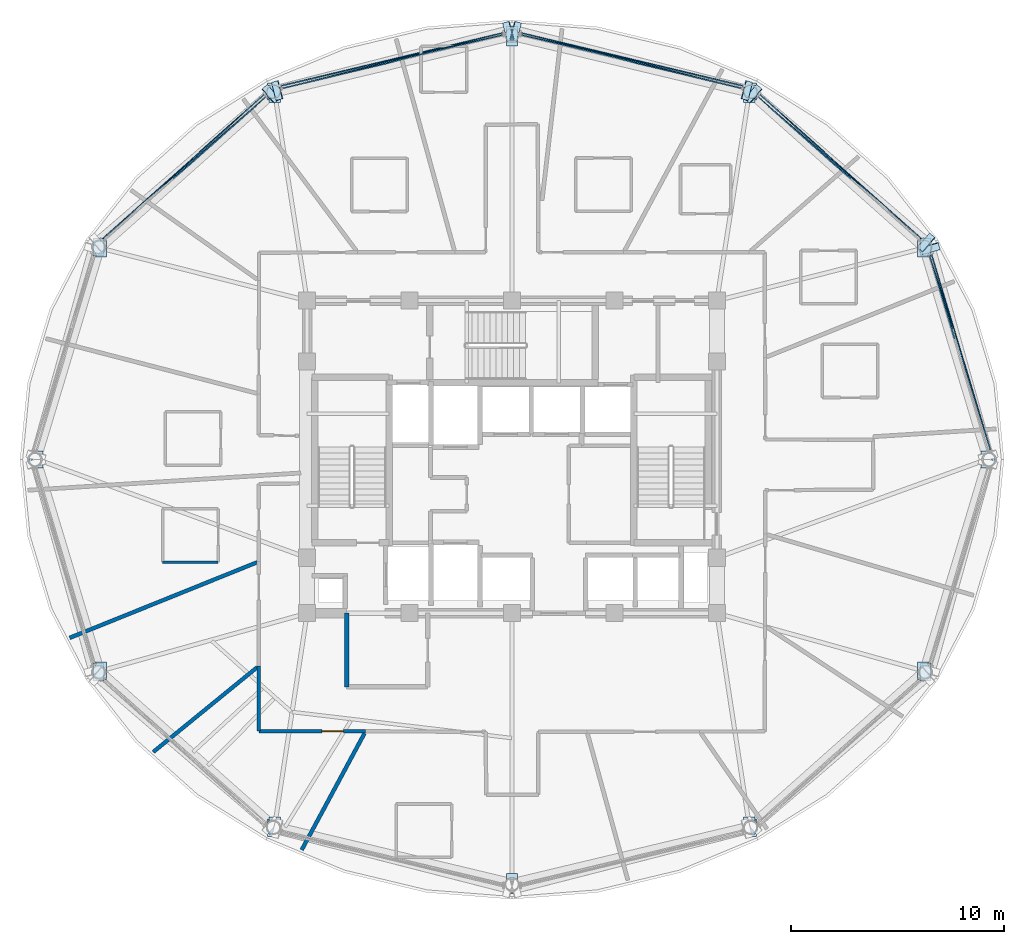
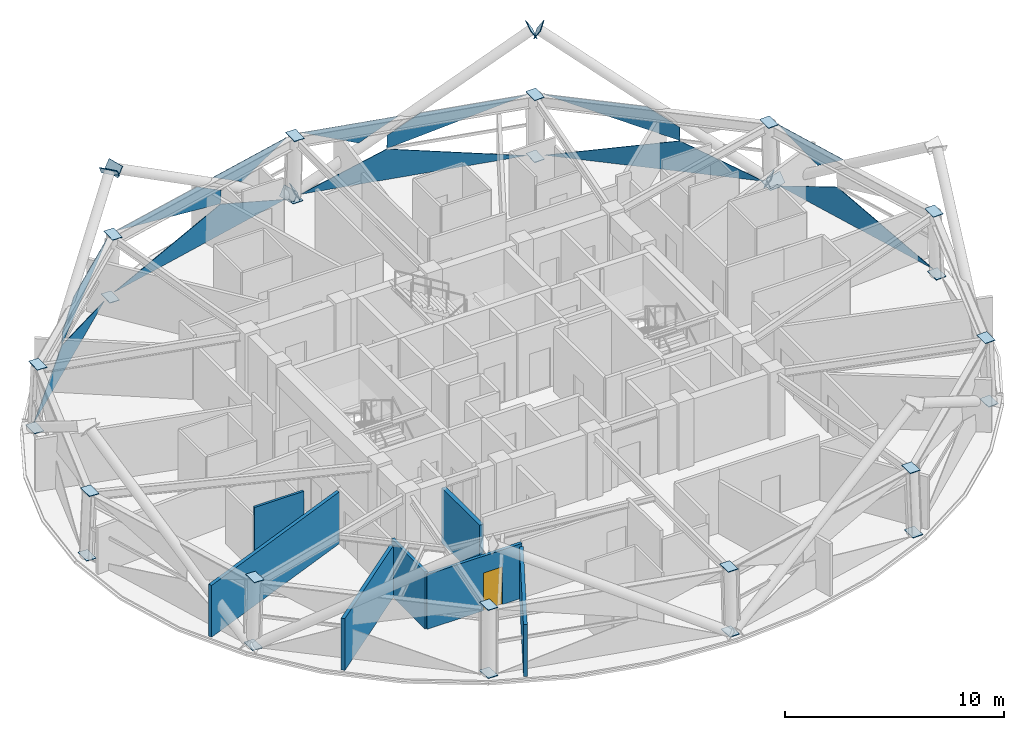
# One storey, part 6 of 14: 44 plates, 7 walls, 1 door, 1 opening, 5 elements without a shape of their own.
"""IFC4 building model written with IfcOpenShell, lengths in metres."""

import ifcopenshell
import ifcopenshell.guid

model = None  # the IFC model being written
_history = None  # IfcOwnerHistory: only IFC2X3 demands one
_inside = {}  # id of a spatial element -> (the spatial element, [elements in it])
_under = {}  # id of a project, library or spatial element -> (it, [spatial elements below it])
_declared = {}  # id of a project -> (the project, [libraries it declares])
_typed = {}  # id of a type object -> (the type object, [elements of that type])
_made_of = {}  # id of a material, layer set ... -> (it, [elements and type objects made of it])


def new_model(schema):
    """Start an empty IFC model of exactly this schema.

    Asked for "IFC4X3", IfcOpenShell would pick the latest addendum, in which some entities
    have other attributes; the version numbers below select the first issue.
    IFC2X3 requires an IfcOwnerHistory on every rooted entity: one is made here for all.
    """
    global model, _history
    if schema == "IFC4X3":
        model = ifcopenshell.file(schema_version=(4, 3, 0, 0))
    else:
        model = ifcopenshell.file(schema=schema)
    _inside.clear()
    _under.clear()
    _declared.clear()
    _typed.clear()
    _made_of.clear()
    _history = None
    if model.schema == "IFC2X3":
        org = make("IfcOrganization", Name="unknown")
        user = make(
            "IfcPersonAndOrganization",
            ThePerson=make("IfcPerson", FamilyName="unknown"),
            TheOrganization=org,
        )
        app = make(
            "IfcApplication",
            ApplicationDeveloper=org,
            Version="unknown",
            ApplicationFullName="unknown",
            ApplicationIdentifier="unknown",
        )
        _history = make(
            "IfcOwnerHistory",
            OwningUser=user,
            OwningApplication=app,
            ChangeAction="ADDED",
            CreationDate=0,
        )
    return model


def make(cls, **values):
    """One entity of the class cls with the attributes given. An attribute that is None is left unset."""
    return model.create_entity(
        cls, **{name: value for name, value in values.items() if value is not None}
    )


def rooted(cls, **values):
    """An entity with a GlobalId (a new one), such as an element, a storey or a relation."""
    return make(cls, GlobalId=ifcopenshell.guid.new(), OwnerHistory=_history, **values)


def si_unit(unit_type, name, prefix=None):
    """IfcSIUnit, for example si_unit("LENGTHUNIT", "METRE", prefix="MILLI")."""
    return make("IfcSIUnit", UnitType=unit_type, Prefix=prefix, Name=name)


def assignment(units):
    """IfcUnitAssignment: the units of a project."""
    return None if units is None else make("IfcUnitAssignment", Units=units)


def point(xyz):
    """IfcCartesianPoint."""
    return None if xyz is None else make("IfcCartesianPoint", Coordinates=xyz)


def direction(xyz):
    """IfcDirection."""
    return None if xyz is None else make("IfcDirection", DirectionRatios=xyz)


def frame(location, z_axis=None, x_axis=None):
    """IfcAxis2Placement3D, a coordinate frame: its origin and axes. An axis left out is left unset."""
    return make(
        "IfcAxis2Placement3D",
        Location=point(location),
        Axis=direction(z_axis),
        RefDirection=direction(x_axis),
    )


def frame_2d(location, x_axis=None):
    """IfcAxis2Placement2D, a coordinate frame in the plane: its origin and x axis."""
    return make(
        "IfcAxis2Placement2D", Location=point(location), RefDirection=direction(x_axis)
    )


def origin():
    """The frame at (0, 0, 0) with its axes left unset."""
    return frame((0.0, 0.0, 0.0))


def place(relative_to, where):
    """IfcLocalPlacement: puts the frame where relative to a parent placement (None: the world)."""
    return make(
        "IfcLocalPlacement", PlacementRelTo=relative_to, RelativePlacement=where
    )


def context(
    kind, dimensions, precision=None, world=None, true_north=None, identifier=None
):
    """IfcGeometricRepresentationContext, for example the 3D "Model" context."""
    return make(
        "IfcGeometricRepresentationContext",
        ContextIdentifier=identifier,
        ContextType=kind,
        CoordinateSpaceDimension=dimensions,
        Precision=precision,
        WorldCoordinateSystem=world,
        TrueNorth=true_north,
    )


def subcontext(parent, identifier, kind, view, scale=None):
    """IfcGeometricRepresentationSubContext, for example "Body" below "Model"."""
    return make(
        "IfcGeometricRepresentationSubContext",
        ContextIdentifier=identifier,
        ContextType=kind,
        ParentContext=parent,
        TargetScale=scale,
        TargetView=view,
    )


def project(units=None, contexts=None):
    """IfcProject with its units and contexts."""
    return rooted(
        "IfcProject",
        Name="project",
        RepresentationContexts=contexts,
        UnitsInContext=assignment(units),
    )


def spatial(cls, under=None, at=None, **own):
    """A site, building, storey or space (cls), placed at a placement, below another one or the project."""
    s = rooted(cls, ObjectPlacement=at, **own)
    if under is not None:
        _under.setdefault(under.id(), (under, []))[1].append(s)
    return s


def polyline(points):
    """IfcPolyline through the points."""
    return make("IfcPolyline", Points=[point(p) for p in points])


def profile(cls, at=None, kind="AREA", **sizes):
    """A parametric profile (cls). Its sizes go by their IFC names, for example OverallWidth=200.0."""
    return make(cls, ProfileType=kind, Position=at, **sizes)


def rectangle(**sizes):
    """IfcRectangleProfileDef."""
    return profile("IfcRectangleProfileDef", **sizes)


def outline(outer, holes=None, kind="AREA"):
    """IfcArbitraryClosedProfileDef: a profile drawn as a closed curve; with holes, ...WithVoids."""
    if holes is None:
        return make("IfcArbitraryClosedProfileDef", ProfileType=kind, OuterCurve=outer)
    return make(
        "IfcArbitraryProfileDefWithVoids",
        ProfileType=kind,
        OuterCurve=outer,
        InnerCurves=holes,
    )


def extrude(swept, where, along, depth):
    """IfcExtrudedAreaSolid: the profile swept, set in the frame where, extruded along a direction by depth."""
    return make(
        "IfcExtrudedAreaSolid",
        SweptArea=swept,
        Position=where,
        ExtrudedDirection=direction(along),
        Depth=depth,
    )


def shape(context_of_items, identifier, shape_type, items):
    """IfcShapeRepresentation: the items that make up one representation, for example the "Body"."""
    return make(
        "IfcShapeRepresentation",
        ContextOfItems=context_of_items,
        RepresentationIdentifier=identifier,
        RepresentationType=shape_type,
        Items=items,
    )


def material(Name=None, Category=None):
    """IfcMaterial."""
    return make("IfcMaterial", Name=Name, Category=Category)


def layer(
    of_material, thickness, ventilated=None, Name=None, Category=None, Priority=None
):
    """IfcMaterialLayer: one layer of a wall or slab, of a material (None: an air gap)."""
    return make(
        "IfcMaterialLayer",
        Material=of_material,
        LayerThickness=thickness,
        IsVentilated=ventilated,
        Name=Name,
        Category=Category,
        Priority=Priority,
    )


def layer_set(layers, Name=None):
    """IfcMaterialLayerSet."""
    return make("IfcMaterialLayerSet", MaterialLayers=layers, LayerSetName=Name)


def made_of(thing, what):
    """Note that an element or type object is made of a material, layer set ...; save() writes the relation."""
    if what is not None:
        _made_of.setdefault(what.id(), (what, []))[1].append(thing)
    return thing


def type_object(cls, material=None, **own):
    """A type object (cls), such as IfcWallType, which elements share."""
    return made_of(rooted(cls, **own), material)


def element(
    cls,
    number,
    at=None,
    inside=None,
    cuts=None,
    type_object=None,
    material=None,
    context=None,
    identifier="Body",
    shape_type=None,
    held_by="IfcProductDefinitionShape",
    body=None,
    shapes=None,
    **own,
):
    """One element of the class cls, such as IfcWall. Its Tag is "e" and its number.

    at: its placement. inside: the storey or other place that contains it. cuts: it is an
    opening in that element (IfcRelVoidsElement). A single representation is given by context,
    identifier, shape_type and body (its items); several are given by shapes. held_by: the class
    of the entity that holds the representations. save() writes the other relations.
    """
    e = rooted(cls, Tag="e%d" % number, ObjectPlacement=at, **own)
    if body is not None:
        shapes = [shape(context, identifier, shape_type, body)]
    if shapes is not None:
        e.Representation = make(held_by, Representations=shapes)
    if inside is not None:
        _inside.setdefault(inside.id(), (inside, []))[1].append(e)
    if cuts is not None:
        rooted(
            "IfcRelVoidsElement", RelatingBuildingElement=cuts, RelatedOpeningElement=e
        )
    if type_object is not None:
        _typed.setdefault(type_object.id(), (type_object, []))[1].append(e)
    return made_of(e, material)


def fill(opening, filler):
    """IfcRelFillsElement: the door or window that sits in an opening."""
    return rooted(
        "IfcRelFillsElement",
        RelatingOpeningElement=opening,
        RelatedBuildingElement=filler,
    )


def aggregate(whole, parts):
    """IfcRelAggregates: a whole, such as a stair, and the parts it consists of."""
    return rooted("IfcRelAggregates", RelatingObject=whole, RelatedObjects=parts)


def save(model, path):
    """Write the relations noted so far, then the file.

    IfcRelAggregates (storeys below a building ...), IfcRelContainedInSpatialStructure (elements
    in a storey), IfcRelDefinesByType, IfcRelAssociatesMaterial and IfcRelDeclares: one each for
    every whole, place, type object, material and project.
    """
    for whole, parts in _under.values():
        aggregate(whole, parts)
    for where, things in _inside.values():
        rooted(
            "IfcRelContainedInSpatialStructure",
            RelatedElements=things,
            RelatingStructure=where,
        )
    for kind, things in _typed.values():
        rooted("IfcRelDefinesByType", RelatedObjects=things, RelatingType=kind)
    for what, things in _made_of.values():
        rooted("IfcRelAssociatesMaterial", RelatedObjects=things, RelatingMaterial=what)
    for by, libraries in _declared.values():
        rooted("IfcRelDeclares", RelatingContext=by, RelatedDefinitions=libraries)
    model.write(path)


model = new_model("IFC4")

# Units and contexts
model_context = context("Model", 3, precision=1e-05, world=origin(), true_north=direction((0.0, 1.0)))
body_context = subcontext(model_context, "Body", "Model", "MODEL_VIEW")
ifc_project = project(units=[si_unit("LENGTHUNIT", "METRE"), si_unit("AREAUNIT", "SQUARE_METRE"), si_unit("VOLUMEUNIT", "CUBIC_METRE"), si_unit("PLANEANGLEUNIT", "RADIAN"), si_unit("MASSUNIT", "GRAM", prefix="KILO")], contexts=[model_context])

# Site, building, storey
site_placement = place(None, origin())
site = spatial("IfcSite", under=ifc_project, at=site_placement, CompositionType="ELEMENT")
building_placement = place(site_placement, origin())
building = spatial("IfcBuilding", under=site, at=building_placement, Name="Vantalir Tower", CompositionType="ELEMENT")
storey_placement = place(building_placement, frame((0.0, 0.0, 204.89990234375)))
storey = spatial("IfcBuildingStorey", under=building, at=storey_placement, Name="L51", CompositionType="ELEMENT", Elevation=204.89990234375)

# Curtain wall, plates
ifc_material_1 = material(Name="Champagne-silver PVDF aluminium and double-silver Low-E glass", Category="aluminium")
ifc_layer_1 = layer(ifc_material_1, 0.2099609375)
ifc_layer_set_1 = layer_set([ifc_layer_1], Name="Champagne-silver PVDF aluminium and double-silver Low-E glass")
curtain_wall_type = type_object("IfcCurtainWallType", Name="CW-DIAMOND-Z3", PredefinedType="USERDEFINED", material=ifc_layer_set_1)
curtain_wall_1_placement = place(storey_placement, origin())
curtain_wall_1 = element("IfcCurtainWall", 1, at=curtain_wall_1_placement, inside=storey, type_object=curtain_wall_type, Name="L51 Quilted Pyramid-Diamond Curtain Wall S01", ObjectType="UNITISED CURTAIN WALL", PredefinedType="USERDEFINED")
ifc_material_2 = material(Name="Double-silver Low-E acoustic glass IGU", Category="glass")
ifc_layer_2 = layer(ifc_material_2, 0.031982421875)
ifc_layer_set_2 = layer_set([ifc_layer_2], Name="Double-silver Low-E acoustic glass IGU")
plate_type_1 = type_object("IfcPlateType", Name="CWP-IGU-32", PredefinedType="CURTAIN_PANEL", material=ifc_layer_set_2)
plate_1_placement = place(storey_placement, frame((53.94970703125, 25.406982421875, 0.046630859375), z_axis=(0.957298870817, 0.287840527398, 0.026957424221), x_axis=(-0.287946477636, 0.957646502347, 5.0583483e-05)))
plate_1 = element("IfcPlate", 2, at=plate_1_placement, type_object=plate_type_1, Name="CW-L51-S01 Pyramid Diamond Facet 1L", PredefinedType="CURTAIN_PANEL", context=body_context, shape_type="SweptSolid", body=[
    extrude(outline(polyline([(0.0, 0.0), (9.652978006332328, -9.215718466126788e-18), (5.979633434046101, 1.7263991537582621), (0.0, 0.0)])), origin(), (0.0, 0.0, -1.0), 0.031982421875),
])
plate_2_placement = place(storey_placement, frame((52.253173828125, 30.681884765625, 3.525146484375), z_axis=(0.956236627282, 0.28747960004, 0.054470103764), x_axis=(-0.28790702627, 0.957658365089, 0.0)))
plate_2 = element("IfcPlate", 3, at=plate_2_placement, type_object=plate_type_1, Name="CW-L51-S01 Pyramid Diamond Facet 2U Infill Light", PredefinedType="CURTAIN_PANEL", context=body_context, shape_type="SweptSolid", body=[
    extrude(outline(polyline([(0.0, 0.0), (4.085588137568457, 6.938893903907228e-18), (1.6694251481706421, -1.1452549308147306), (0.0, 0.0)])), origin(), (0.0, 0.0, -1.0), 0.031982421875),
])
aggregate(curtain_wall_1, [plate_1, plate_2])

curtain_wall_2_placement = place(storey_placement, origin())
curtain_wall_2 = element("IfcCurtainWall", 4, at=curtain_wall_2_placement, inside=storey, type_object=curtain_wall_type, Name="L51 Quilted Pyramid-Diamond Curtain Wall S02", ObjectType="UNITISED CURTAIN WALL", PredefinedType="USERDEFINED")
plate_3_placement = place(storey_placement, frame((50.730712890625, 35.340576171875, 0.046875), z_axis=(0.665065490871, 0.746363057838, 0.025101369428), x_axis=(-0.746597903354, 0.665275559551, -2.3897251e-05)))
plate_3 = element("IfcPlate", 5, at=plate_3_placement, type_object=plate_type_1, Name="CW-L51-S02 Pyramid Diamond Facet 1L", PredefinedType="CURTAIN_PANEL", context=body_context, shape_type="SweptSolid", body=[
    extrude(outline(polyline([(0.0, 0.0), (10.216264165730552, -4.391018798566293e-18), (3.8948755833589725, 1.726467146267032), (0.0, 0.0)])), origin(), (0.0, 0.0, -1.0), 0.031982421875),
])
plate_4_placement = place(storey_placement, frame((46.6171875, 38.825927734375, 3.5234375), z_axis=(0.664421149162, 0.745533906281, 0.052189377576), x_axis=(-0.746551309015, 0.665327846259, 2.00531e-07)))
plate_4 = element("IfcPlate", 6, at=plate_4_placement, type_object=plate_type_1, Name="CW-L51-S02 Pyramid Diamond Facet 2U", PredefinedType="CURTAIN_PANEL", context=body_context, shape_type="SweptSolid", body=[
    extrude(outline(polyline([(0.0, 0.0), (4.805936728452544, 1.3877787807814457e-17), (-1.4948862874443067, -1.728429412505387), (-1.4948561375362586, -0.9700707432491457), (0.0, 0.0)])), origin(), (0.0, 0.0, -1.0), 0.031982421875),
])
aggregate(curtain_wall_2, [plate_3, plate_4])

curtain_wall_3_placement = place(storey_placement, origin())
curtain_wall_3 = element("IfcCurtainWall", 7, at=curtain_wall_3_placement, inside=storey, type_object=curtain_wall_type, Name="L51 Quilted Pyramid-Diamond Curtain Wall S03", ObjectType="UNITISED CURTAIN WALL", PredefinedType="USERDEFINED")
plate_5_placement = place(storey_placement, frame((42.372802734375, 42.5185546875, 0.046630859375), z_axis=(0.232215114723, 0.972391447685, 0.023043718519), x_axis=(-0.972649848084, 0.232276284855, 2.2703185e-05)))
plate_5 = element("IfcPlate", 8, at=plate_5_placement, type_object=plate_type_1, Name="CW-L51-S03 Pyramid Diamond Facet 1L", PredefinedType="CURTAIN_PANEL", context=body_context, shape_type="SweptSolid", body=[
    extrude(outline(polyline([(0.0, 0.0), (10.753584835128112, 9.595189226496714e-18), (6.661264175056028, 1.7266256190751783), (0.0, 0.0)])), origin(), (0.0, 0.0, -1.0), 0.031982421875),
])
plate_6_placement = place(storey_placement, frame((42.298828125, 42.40478515625, 3.523681640625), z_axis=(0.2319210361, 0.97142139428, 0.050528286622), x_axis=(-0.972663266774, 0.23222008322, -4.9168802e-05)))
plate_6 = element("IfcPlate", 9, at=plate_6_placement, type_object=plate_type_1, Name="CW-L51-S03 Pyramid Diamond Facet 2U", PredefinedType="CURTAIN_PANEL", context=body_context, shape_type="SweptSolid", body=[
    extrude(outline(polyline([(0.0, 0.0), (5.060728592404765, -1.168227840853131e-17), (6.615807875864222, -0.9650187236365233), (6.615790030676881, -1.7284497703436388), (0.0, 0.0)])), origin(), (0.0, 0.0, -1.0), 0.031982421875),
])
plate_7_placement = place(storey_placement, frame((36.370361328125, 43.857177734375, 3.525390625), z_axis=(0.231949361495, 0.971416171872, 0.050498660655), x_axis=(-0.972656528999, 0.232248301925, -5.3378143e-05)))
plate_7 = element("IfcPlate", 10, at=plate_7_placement, type_object=plate_type_1, Name="CW-L51-S03 Pyramid Diamond Facet 2U Infill Light", PredefinedType="CURTAIN_PANEL", context=body_context, shape_type="SweptSolid", body=[
    extrude(outline(polyline([(0.0, 0.0), (4.5737938687664705, -4.20128341838133e-18), (1.8603697964153756, -1.154694252303959), (0.0, 0.0)])), origin(), (0.0, 0.0, -1.0), 0.031982421875),
])
aggregate(curtain_wall_3, [plate_5, plate_6, plate_7])

curtain_wall_4_placement = place(storey_placement, origin())
curtain_wall_4 = element("IfcCurtainWall", 11, at=curtain_wall_4_placement, inside=storey, type_object=curtain_wall_type, Name="L51 Quilted Pyramid-Diamond Curtain Wall S04", ObjectType="UNITISED CURTAIN WALL", PredefinedType="USERDEFINED")
plate_8_placement = place(storey_placement, frame((31.086669921875, 45.016357421875, 0.046875), z_axis=(-0.232215114723, 0.972391447685, 0.023043718519), x_axis=(-0.972649848084, -0.232276284855, -2.2703185e-05)))
plate_8 = element("IfcPlate", 12, at=plate_8_placement, type_object=plate_type_1, Name="CW-L51-S04 Pyramid Diamond Facet 1L", PredefinedType="CURTAIN_PANEL", context=body_context, shape_type="SweptSolid", body=[
    extrude(outline(polyline([(0.0, 0.0), (10.753584835128112, -9.595189226496714e-18), (4.092320660072084, 1.7266256190751783), (0.0, 0.0)])), origin(), (0.0, 0.0, -1.0), 0.031982421875),
])
plate_9_placement = place(storey_placement, frame((25.6240234375, 43.580078125, 3.5234375), z_axis=(-0.231911561337, 0.971419836534, 0.050601669011), x_axis=(-0.972665332737, -0.232211429826, 4.8481188e-05)))
plate_9 = element("IfcPlate", 13, at=plate_9_placement, type_object=plate_type_1, Name="CW-L51-S04 Pyramid Diamond Facet 2U", PredefinedType="CURTAIN_PANEL", context=body_context, shape_type="SweptSolid", body=[
    extrude(outline(polyline([(0.0, 0.0), (5.061203525626413, 3.279711571768651e-18), (-1.5545845399882814, -1.728457294090442), (-1.5546032416209494, -0.9647824147860213), (0.0, 0.0)])), origin(), (0.0, 0.0, -1.0), 0.031982421875),
])
plate_10_placement = place(storey_placement, frame((31.078369140625, 44.91943359375, 3.525146484375), z_axis=(-0.231970916072, 0.971399862962, 0.050712920789), x_axis=(-0.972650769745, -0.232272420371, 5.3383687e-05)))
plate_10 = element("IfcPlate", 14, at=plate_10_placement, type_object=plate_type_1, Name="CW-L51-S04 Pyramid Diamond Facet 2U Infill Light", PredefinedType="CURTAIN_PANEL", context=body_context, shape_type="SweptSolid", body=[
    extrude(outline(polyline([(0.0, 0.0), (4.573318940226666, -9.486769009248164e-19), (2.7131284485245923, -1.1547068038998547), (0.0, 0.0)])), origin(), (0.0, 0.0, -1.0), 0.031982421875),
])
aggregate(curtain_wall_4, [plate_8, plate_9, plate_10])

curtain_wall_5_placement = place(storey_placement, origin())
curtain_wall_5 = element("IfcCurtainWall", 15, at=curtain_wall_5_placement, inside=storey, type_object=curtain_wall_type, Name="L51 Quilted Pyramid-Diamond Curtain Wall S05", ObjectType="UNITISED CURTAIN WALL", PredefinedType="USERDEFINED")
plate_11_placement = place(storey_placement, frame((19.896728515625, 42.13720703125, 0.046630859375), z_axis=(-0.665065490871, 0.746363057838, 0.025101369428), x_axis=(-0.746597903354, -0.665275559551, 2.3897251e-05)))
plate_11 = element("IfcPlate", 16, at=plate_11_placement, type_object=plate_type_1, Name="CW-L51-S05 Pyramid Diamond Facet 1L", PredefinedType="CURTAIN_PANEL", context=body_context, shape_type="SweptSolid", body=[
    extrude(outline(polyline([(0.0, 0.0), (10.216264165730552, 4.391018798566293e-18), (6.32138858237158, 1.7264671462670322), (0.0, 0.0)])), origin(), (0.0, 0.0, -1.0), 0.031982421875),
])
plate_12_placement = place(storey_placement, frame((19.970703125, 42.0234375, 3.5234375), z_axis=(-0.664428770914, 0.74552046265, 0.052284301192), x_axis=(-0.746541531597, -0.665338817145, 5.83379e-07)))
plate_12 = element("IfcPlate", 17, at=plate_12_placement, type_object=plate_type_1, Name="CW-L51-S05 Pyramid Diamond Facet 2U", PredefinedType="CURTAIN_PANEL", context=body_context, shape_type="SweptSolid", body=[
    extrude(outline(polyline([(0.0, 0.0), (4.805409769195001, 2.7755575615628914e-17), (6.300791361898829, -0.9700805125474947), (6.300820336238585, -1.7284391801789258), (0.0, 0.0)])), origin(), (0.0, 0.0, -1.0), 0.031982421875),
])
aggregate(curtain_wall_5, [plate_11, plate_12])

# Plates
ifc_material_3 = material(Name="Steel S460", Category="steel")
ifc_layer_3 = layer(ifc_material_3, 0.035888671875)
ifc_layer_set_3 = layer_set([ifc_layer_3], Name="Steel S460")
plate_type_2 = type_object("IfcPlateType", Name="PLT-KN-Z2", PredefinedType="USERDEFINED", material=ifc_layer_set_3)
for number, where, z_axis, x_axis, name in (
    (18, (51.06982421875, 35.619140625, -0.0390625), (-0.636452618968, 0.546711402943, 0.544090714589), (-0.651578514384, -0.758581200192, 4.8043938e-05), "Node Cap Plate MEM-DG-L51-R04L Start"),
    (19, (42.965087890625, 42.58056640625, 6.892333984375), (-0.636452618968, 0.546711402943, 0.544090714589), (-0.651578514384, -0.758581200192, 4.8043938e-05), "Node Cap Plate MEM-DG-L51-R04L End"),
):
    element("IfcPlate", number, at=place(storey_placement, frame(where, z_axis=z_axis, x_axis=x_axis)), inside=storey, type_object=plate_type_2, Name=name, ObjectType="FLANGE_PLATE", PredefinedType="USERDEFINED", context=body_context, shape_type="SweptSolid", body=[
        extrude(outline(polyline([(0.0, 0.0), (0.8798504280026592, 0.0), (0.8799173659993981, 0.5798744755371916), (-9.213878899937239e-05, 0.5799752478158673), (0.0, 0.0)])), origin(), (0.0, 0.0, -1.0), 0.035888671875),
    ])
plate_13_placement = place(storey_placement, frame((50.71875, 34.600830078125, -0.030029296875), z_axis=(0.221352071399, -0.794350792658, 0.565694333267), x_axis=(0.963310445614, 0.268389607633, -6.2339271e-05)))
element("IfcPlate", 20, at=plate_13_placement, inside=storey, type_object=plate_type_2, Name="Node Cap Plate MEM-DG-L51-R04R Start", ObjectType="FLANGE_PLATE", PredefinedType="USERDEFINED", context=body_context, shape_type="SweptSolid", body=[
    extrude(outline(polyline([(0.0, 0.0), (0.8799186078495593, -5.551115123125783e-17), (0.8798422768894779, 0.5800601812342769), (-0.00014185576663257657, 0.5799271360538113), (0.0, 0.0)])), origin(), (0.0, 0.0, -1.0), 0.035888671875),
])
for number, where, z_axis, x_axis, name in (
    (21, (31.054931640625, 45.455078125, -0.046142578125), (-0.823077572225, -0.211133189896, 0.527224891507), (0.248435961674, -0.968648320766, -6.0205167e-05), "Node Cap Plate MEM-DG-L51-R10L Start"),
    (22, (20.2255859375, 42.677734375, 6.892333984375), (-0.823077572225, -0.211133189896, 0.527224891507), (0.248435961674, -0.968648320766, -6.0205167e-05), "Node Cap Plate MEM-DG-L51-R10L End"),
):
    element("IfcPlate", number, at=place(storey_placement, frame(where, z_axis=z_axis, x_axis=x_axis)), inside=storey, type_object=plate_type_2, Name=name, ObjectType="FLANGE_PLATE", PredefinedType="USERDEFINED", context=body_context, shape_type="SweptSolid", body=[
        extrude(outline(polyline([(0.0, 0.0), (0.8798587581766908, 0.0), (0.8799149289483639, 0.5801552757925428), (-4.482539282437071e-06, 0.5800305911692192), (0.0, 0.0)])), origin(), (0.0, 0.0, -1.0), 0.035888671875),
    ])
for number, where, z_axis, x_axis, name in (
    (23, (31.7265625, 44.602783203125, -0.046142578125), (0.823077572225, -0.211133189896, 0.527224891507), (0.248435961674, 0.968648320766, 6.0205167e-05), "Node Cap Plate MEM-DG-L51-R10R Start"),
    (24, (42.556884765625, 41.825439453125, 6.892333984375), (0.823077572225, -0.211133189896, 0.527224891507), (0.248435961674, 0.968648320766, 6.0205167e-05), "Node Cap Plate MEM-DG-L51-R10R End"),
):
    element("IfcPlate", number, at=place(storey_placement, frame(where, z_axis=z_axis, x_axis=x_axis)), inside=storey, type_object=plate_type_2, Name=name, ObjectType="FLANGE_PLATE", PredefinedType="USERDEFINED", context=body_context, shape_type="SweptSolid", body=[
        extrude(outline(polyline([(0.0, 0.0), (0.8798587581766908, 0.0), (0.8798632407159732, 0.5800305911692192), (-5.6170771673109756e-05, 0.5801552757925428), (0.0, 0.0)])), origin(), (0.0, 0.0, -1.0), 0.035888671875),
    ])
plate_14_placement = place(storey_placement, frame((20.609130859375, 41.9130859375, 6.892333984375), z_axis=(0.636454847551, 0.546596921013, 0.544203117381), x_axis=(-0.651522312226, 0.758629472583, 0.0)))
element("IfcPlate", 25, at=plate_14_placement, inside=storey, type_object=plate_type_2, Name="Node Cap Plate MEM-DG-L51-R16R End", ObjectType="FLANGE_PLATE", PredefinedType="USERDEFINED", context=body_context, shape_type="SweptSolid", body=[
    extrude(outline(polyline([(0.0, 0.0), (0.8798504314328117, 0.0), (0.879942563361147, 0.5799752530206639), (9.213192833527977e-05, 0.5799752530206639), (0.0, 0.0)])), origin(), (0.0, 0.0, -1.0), 0.035888671875),
])
ifc_layer_4 = layer(ifc_material_3, 0.031982421875)
ifc_layer_set_4 = layer_set([ifc_layer_4], Name="Steel S460")
plate_type_3 = type_object("IfcPlateType", Name="PLT-KN-Z3", PredefinedType="USERDEFINED", material=ifc_layer_set_4)
for number, where, z_axis, x_axis, name in (
    (26, (53.47314453125, 25.39990234375, 3.583251953125), (-0.041318069487, 0.0, 0.999146043946), (0.0, -1.0, 0.0), "L51 Ring Column Top Cap RC01"),
    (27, (53.6201171875, 25.39990234375, 0.042236328125), (-0.041318069487, 0.0, 0.999146043946), (0.0, -1.0, 0.0), "L51 Ring Column Base Cap RC01"),
):
    element("IfcPlate", number, at=place(storey_placement, frame(where, z_axis=z_axis, x_axis=x_axis)), inside=storey, type_object=plate_type_3, Name=name, ObjectType="FLANGE_PLATE", PredefinedType="USERDEFINED", context=body_context, shape_type="SweptSolid", body=[
        extrude(outline(polyline([(0.0, 0.0), (0.7998046875, 0.0), (0.7998046875, 0.5199752860431957), (0.0, 0.5199752860431957), (0.0, 0.0)])), origin(), (0.0, 0.0, -1.0), 0.031982421875),
    ])
plate_15_placement = place(storey_placement, frame((50.494384765625, 35.295654296875, 3.592041015625), z_axis=(-0.035932914327, -0.018449755814, 0.999183883066), x_axis=(5.377706e-06, -0.999829572249, -0.018461484958)))
element("IfcPlate", 28, at=plate_15_placement, inside=storey, type_object=plate_type_3, Name="L51 Ring Column Top Cap RC02", ObjectType="FLANGE_PLATE", PredefinedType="USERDEFINED", context=body_context, shape_type="SweptSolid", body=[
    extrude(outline(polyline([(0.0, 0.0), (0.7999388104946776, 0.0), (0.8000872553299063, 0.5198626724481867), (-0.00010016137990972329, 0.5198712830165311), (0.0, 0.0)])), origin(), (0.0, 0.0, -1.0), 0.031982421875),
])
plate_16_placement = place(storey_placement, frame((50.621337890625, 35.361083984375, 0.051025390625), z_axis=(-0.035928584379, -0.018452573626, 0.999183986737), x_axis=(5.478212e-06, -0.999829520301, -0.018464298124)))
element("IfcPlate", 29, at=plate_16_placement, inside=storey, type_object=plate_type_3, Name="L51 Ring Column Base Cap RC02", ObjectType="FLANGE_PLATE", PredefinedType="USERDEFINED", context=body_context, shape_type="SweptSolid", body=[
    extrude(outline(polyline([(0.0, 0.0), (0.7999388101544467, 0.0), (0.7998431559793171, 0.5198625123365376), (-0.00010016206041394733, 0.5198712824928783), (0.0, 0.0)])), origin(), (0.0, 0.0, -1.0), 0.031982421875),
])
for number, where, z_axis, x_axis, name in (
    (30, (42.3564453125, 42.540283203125, 3.6015625), (-0.020672338538, -0.032037755623, 0.999272853946), (0.0, -0.999486439824, -0.032044603414), "L51 Ring Column Top Cap RC03"),
    (31, (42.429931640625, 42.654296875, 0.060546875), (-0.020672338538, -0.032037755623, 0.999272853946), (0.0, -0.999486439824, -0.032044603414), "L51 Ring Column Base Cap RC03"),
):
    element("IfcPlate", number, at=place(storey_placement, frame(where, z_axis=z_axis, x_axis=x_axis)), inside=storey, type_object=plate_type_3, Name=name, ObjectType="FLANGE_PLATE", PredefinedType="USERDEFINED", context=body_context, shape_type="SweptSolid", body=[
        extrude(outline(polyline([(0.0, 0.0), (0.7999713803178822, 0.0), (0.800115181667839, 0.5201306809000079), (0.00014380134995678468, 0.5201306809000078), (0.0, 0.0)])), origin(), (0.0, 0.0, -1.0), 0.031982421875),
    ])
for number, where, z_axis, x_axis, name in (
    (32, (31.239990234375, 45.19189453125, 3.60888671875), (0.0, -0.036921373744, 0.999318173637), (0.0, -0.999318173637, -0.036921373744), "L51 Ring Column Top Cap RC04"),
    (33, (31.239990234375, 45.32275390625, 0.06787109375), (0.0, -0.036921373744, 0.999318173637), (0.0, -0.999318173637, -0.036921373744), "L51 Ring Column Base Cap RC04"),
):
    element("IfcPlate", number, at=place(storey_placement, frame(where, z_axis=z_axis, x_axis=x_axis)), inside=storey, type_object=plate_type_3, Name=name, ObjectType="FLANGE_PLATE", PredefinedType="USERDEFINED", context=body_context, shape_type="SweptSolid", body=[
        extrude(outline(polyline([(0.0, 0.0), (0.8001060802938605, 0.0), (0.8001060802938605, 0.52001953125), (0.0, 0.52001953125), (0.0, 0.0)])), origin(), (0.0, 0.0, -1.0), 0.031982421875),
    ])
for number, where, z_axis, x_axis, name in (
    (34, (20.12353515625, 42.539794921875, 3.6123046875), (0.020672338538, -0.032037755623, 0.999272853946), (0.0, -0.999486439824, -0.032044603414), "L51 Ring Column Top Cap RC05"),
    (35, (20.050048828125, 42.65380859375, 0.0712890625), (0.020672338538, -0.032037755623, 0.999272853946), (0.0, -0.999486439824, -0.032044603414), "L51 Ring Column Base Cap RC05"),
):
    element("IfcPlate", number, at=place(storey_placement, frame(where, z_axis=z_axis, x_axis=x_axis)), inside=storey, type_object=plate_type_3, Name=name, ObjectType="FLANGE_PLATE", PredefinedType="USERDEFINED", context=body_context, shape_type="SweptSolid", body=[
        extrude(outline(polyline([(0.0, 0.0), (0.7999713803178822, 0.0), (0.7998275789679254, 0.5201306809000078), (-0.00014380134995678468, 0.5201306809000078), (0.0, 0.0)])), origin(), (0.0, 0.0, -1.0), 0.031982421875),
    ])
plate_17_placement = place(storey_placement, frame((11.986083984375, 35.29541015625, 3.61083984375), z_axis=(0.035932914327, -0.018449755814, 0.999183883066), x_axis=(5.376035e-06, -0.999829565111, -0.018461871555)))
element("IfcPlate", 36, at=plate_17_placement, inside=storey, type_object=plate_type_3, Name="L51 Ring Column Top Cap RC06", ObjectType="FLANGE_PLATE", PredefinedType="USERDEFINED", context=body_context, shape_type="SweptSolid", body=[
    extrude(outline(polyline([(0.0, 0.0), (0.8001874167561439, -2.168404344971009e-19), (0.8000445660017316, 0.5198626740154576), (0.00010575555336741734, 0.5198712819086271), (0.0, 0.0)])), origin(), (0.0, 0.0, -1.0), 0.031982421875),
])
plate_18_placement = place(storey_placement, frame((11.859130859375, 35.36083984375, 0.06982421875), z_axis=(0.035928584379, -0.018452573626, 0.999183986737), x_axis=(5.478181e-06, -0.999829513028, -0.018464691959)))
element("IfcPlate", 37, at=plate_18_placement, inside=storey, type_object=plate_type_3, Name="L51 Ring Column Base Cap RC06", ObjectType="FLANGE_PLATE", PredefinedType="USERDEFINED", context=body_context, shape_type="SweptSolid", body=[
    extrude(outline(polyline([(0.0, 0.0), (0.7999433180878067, 0.0), (0.8000446717611399, 0.5198625112565926), (0.00010586165476853055, 0.5198712813635109), (0.0, 0.0)])), origin(), (0.0, 0.0, -1.0), 0.031982421875),
])
for number, where, z_axis, x_axis, name in (
    (38, (9.00732421875, 25.39990234375, 3.604736328125), (0.041318069487, 0.0, 0.999146043946), (0.0, -1.0, 0.0), "L51 Ring Column Top Cap RC07"),
    (39, (8.8603515625, 25.39990234375, 0.063720703125), (0.041318069487, 0.0, 0.999146043946), (0.0, -1.0, 0.0), "L51 Ring Column Base Cap RC07"),
):
    element("IfcPlate", number, at=place(storey_placement, frame(where, z_axis=z_axis, x_axis=x_axis)), inside=storey, type_object=plate_type_3, Name=name, ObjectType="FLANGE_PLATE", PredefinedType="USERDEFINED", context=body_context, shape_type="SweptSolid", body=[
        extrude(outline(polyline([(0.0, 0.0), (0.7998046875, 0.0), (0.7998046875, 0.5199752860431957), (0.0, 0.5199752860431957), (0.0, 0.0)])), origin(), (0.0, 0.0, -1.0), 0.031982421875),
    ])
plate_19_placement = place(storey_placement, frame((11.986083984375, 15.50341796875, 3.75), z_axis=(0.0342872825, 0.017691335315, 0.999255422259), x_axis=(0.0, -0.999843311861, 0.017701743617)))
element("IfcPlate", 40, at=plate_19_placement, inside=storey, type_object=plate_type_3, Name="L51 Ring Column Top Cap RC08", ObjectType="FLANGE_PLATE", PredefinedType="USERDEFINED", context=body_context, shape_type="SweptSolid", body=[
    extrude(outline(polyline([(0.0, 0.0), (0.7999300270473644, 5.421010862427522e-20), (0.7998586442416638, 0.5198369046034635), (-7.138280570063318e-05, 0.5198369046034634), (0.0, 0.0)])), origin(), (0.0, 0.0, -1.0), 0.031982421875),
])
plate_20_placement = place(storey_placement, frame((11.85888671875, 15.43798828125, 0.054931640625), z_axis=(0.034271196543, 0.017691345081, 0.999255973911), x_axis=(0.0, -0.999843311861, 0.017701743617)))
element("IfcPlate", 41, at=plate_20_placement, inside=storey, type_object=plate_type_3, Name="L51 Ring Column Base Cap RC08", ObjectType="FLANGE_PLATE", PredefinedType="USERDEFINED", context=body_context, shape_type="SweptSolid", body=[
    extrude(outline(polyline([(0.0, 0.0), (0.7999300270473644, 0.0), (0.7998586442416638, 0.5200809017456027), (-7.138280570063318e-05, 0.5200809017456027), (0.0, 0.0)])), origin(), (0.0, 0.0, -1.0), 0.031982421875),
])
plate_21_placement = place(storey_placement, frame((20.12353515625, 8.259765625, 3.740966796875), z_axis=(0.019977955881, 0.030971310162, 0.99932059882), x_axis=(3.046549e-06, -0.999520084196, 0.030977431781)))
element("IfcPlate", 42, at=plate_21_placement, inside=storey, type_object=plate_type_3, Name="L51 Ring Column Top Cap RC09", ObjectType="FLANGE_PLATE", PredefinedType="USERDEFINED", context=body_context, shape_type="SweptSolid", body=[
    extrude(outline(polyline([(0.0, 0.0), (0.7999406729373639, 0.0), (0.8001126636933242, 0.5198767096625831), (0.0001644279064045631, 0.5198815847754981), (0.0, 0.0)])), origin(), (0.0, 0.0, -1.0), 0.031982421875),
])
plate_22_placement = place(storey_placement, frame((20.050048828125, 8.1455078125, 0.0458984375), z_axis=(0.019719576268, 0.030819045575, 0.999330438214), x_axis=(0.0, -0.99952479556, 0.030825039497)))
element("IfcPlate", 43, at=plate_22_placement, inside=storey, type_object=plate_type_3, Name="L51 Ring Column Base Cap RC09", ObjectType="FLANGE_PLATE", PredefinedType="USERDEFINED", context=body_context, shape_type="SweptSolid", body=[
    extrude(outline(polyline([(0.0, 0.0), (0.7999406822386288, 0.0), (0.7998686297817685, 0.5201206685836872), (-7.205245686030625e-05, 0.5201206685836872), (0.0, 0.0)])), origin(), (0.0, 0.0, -1.0), 0.031982421875),
])
for number, where, z_axis, x_axis, name in (
    (44, (31.239990234375, 5.607666015625, 3.579345703125), (0.0, 0.036921373744, 0.999318173637), (0.0, -0.999318173637, 0.036921373744), "L51 Ring Column Top Cap RC10"),
    (45, (31.239990234375, 5.476806640625, 0.038330078125), (0.0, 0.036921373744, 0.999318173637), (0.0, -0.999318173637, 0.036921373744), "L51 Ring Column Base Cap RC10"),
):
    element("IfcPlate", number, at=place(storey_placement, frame(where, z_axis=z_axis, x_axis=x_axis)), inside=storey, type_object=plate_type_3, Name=name, ObjectType="FLANGE_PLATE", PredefinedType="USERDEFINED", context=body_context, shape_type="SweptSolid", body=[
        extrude(outline(polyline([(0.0, 0.0), (0.8001060802938605, 0.0), (0.8001060802938605, 0.52001953125), (0.0, 0.52001953125), (0.0, 0.0)])), origin(), (0.0, 0.0, -1.0), 0.031982421875),
    ])
for number, where, z_axis, x_axis, name in (
    (46, (42.3564453125, 8.25927734375, 3.575927734375), (-0.020672338538, 0.032037755623, 0.999272853946), (0.0, -0.999486439824, 0.032044603414), "L51 Ring Column Top Cap RC11"),
    (47, (42.429931640625, 8.145263671875, 0.034912109375), (-0.020672338538, 0.032037755623, 0.999272853946), (0.0, -0.999486439824, 0.032044603414), "L51 Ring Column Base Cap RC11"),
):
    element("IfcPlate", number, at=place(storey_placement, frame(where, z_axis=z_axis, x_axis=x_axis)), inside=storey, type_object=plate_type_3, Name=name, ObjectType="FLANGE_PLATE", PredefinedType="USERDEFINED", context=body_context, shape_type="SweptSolid", body=[
        extrude(outline(polyline([(0.0, 0.0), (0.7999713803178822, 0.0), (0.7998275789679254, 0.5201306809000078), (-0.00014380134995678468, 0.5201306809000078), (0.0, 0.0)])), origin(), (0.0, 0.0, -1.0), 0.031982421875),
    ])
plate_23_placement = place(storey_placement, frame((50.494384765625, 15.503173828125, 3.577392578125), z_axis=(-0.035932914327, 0.018449755814, 0.999183883066), x_axis=(-5.377706e-06, -0.999829572249, 0.018461484958)))
element("IfcPlate", 48, at=plate_23_placement, inside=storey, type_object=plate_type_3, Name="L51 Ring Column Top Cap RC12", ObjectType="FLANGE_PLATE", PredefinedType="USERDEFINED", context=body_context, shape_type="SweptSolid", body=[
    extrude(outline(polyline([(0.0, 0.0), (0.7999388104946776, 0.0), (0.8000389718745874, 0.519871283016531), (-0.00014844483522872246, 0.5198626724481868), (0.0, 0.0)])), origin(), (0.0, 0.0, -1.0), 0.031982421875),
])
plate_24_placement = place(storey_placement, frame((50.621337890625, 15.437744140625, 0.036376953125), z_axis=(-0.035928584379, 0.018452573626, 0.999183986737), x_axis=(-5.478212e-06, -0.999829520301, 0.018464298124)))
element("IfcPlate", 49, at=plate_24_placement, inside=storey, type_object=plate_type_3, Name="L51 Ring Column Base Cap RC12", ObjectType="FLANGE_PLATE", PredefinedType="USERDEFINED", context=body_context, shape_type="SweptSolid", body=[
    extrude(outline(polyline([(0.0, 0.0), (0.7999388101544467, 0.0), (0.8000389722148606, 0.5198712824928783), (9.565417512972304e-05, 0.5198625123365375), (0.0, 0.0)])), origin(), (0.0, 0.0, -1.0), 0.031982421875),
])

# Wall
ifc_material_4 = material(Name="Moisture-resistant en-suite partition", Category="gypsum")
ifc_layer_5 = layer(ifc_material_4, 0.125)
ifc_layer_set_5 = layer_set([ifc_layer_5], Name="Moisture-resistant en-suite partition")
wall_type_1 = type_object("IfcWallType", Name="WL-BATH-125", PredefinedType="PARTITIONING", material=ifc_layer_set_5)
wall_1_placement = place(storey_placement, frame((15.1298828125, 20.18896484375, 0.0), z_axis=(0.0, 0.0, 1.0), x_axis=(1.0, 0.0, 0.0)))
element("IfcWall", 50, at=wall_1_placement, inside=storey, type_object=wall_type_1, Name="L51 En-suite 10 South Wall", PredefinedType="PARTITIONING", context=body_context, shape_type="SweptSolid", body=[
    extrude(rectangle(XDim=2.60009765625, YDim=0.125, at=frame_2d((1.300048828125, 0.0))), origin(), (0.0, 0.0, 1.0), 3.550048828125),
])

# Wall, opening, door
ifc_material_5 = material(Name="Fire-rated hotel corridor acoustic partition", Category="gypsum")
ifc_layer_6 = layer(ifc_material_5, 0.159912109375)
ifc_layer_set_6 = layer_set([ifc_layer_6], Name="Fire-rated hotel corridor acoustic partition")
wall_type_2 = type_object("IfcWallType", Name="WL-CORR-160", PredefinedType="PARTITIONING", material=ifc_layer_set_6)
wall_2_placement = place(storey_placement, frame((24.635986328125, 12.260986328125, 0.0), z_axis=(0.0, 0.0, 1.0), x_axis=(-0.999997992963, 0.002003514353, 0.0)))
wall_2 = element("IfcWall", 51, at=wall_2_placement, inside=storey, type_object=wall_type_2, Name="L51 Corridor Partition 31", PredefinedType="PARTITIONING", context=body_context, shape_type="SweptSolid", body=[
    extrude(rectangle(XDim=4.99609375, YDim=0.159912109375, at=frame_2d((2.498046875, 0.0))), origin(), (0.0, 0.0, 1.0), 3.0419921875),
])
opening_placement = place(wall_2_placement, frame((1.0419921875, 0.0, 0.0)))
opening = element("IfcOpeningElement", 52, at=opening_placement, cuts=wall_2, Name="Opening D-GUEST", PredefinedType="OPENING", context=body_context, shape_type="SweptSolid", body=[
    extrude(rectangle(XDim=1.0, YDim=2.10009765625, at=frame_2d((0.5, 1.050048828125))), frame((0.0, 0.08984375, 0.0), z_axis=(0.0, -1.0, 0.0), x_axis=(1.0, 0.0, 0.0)), (0.0, 0.0, 1.0), 0.179931640625),
])
ifc_material_6 = material(Name="Solid-core teak veneer acoustic fire door", Category="wood")
door_type = type_object("IfcDoorType", Name="DR-GUEST-ENTRY-1000", OperationType="NOTDEFINED", PredefinedType="DOOR", material=ifc_material_6)
door_placement = place(opening_placement, origin())
door = element("IfcDoor", 53, at=door_placement, inside=storey, type_object=door_type, Name="L51 Club Reading Lounge 12 Door", OperationType="SINGLE_SWING_RIGHT", OverallHeight=2.10009765625, OverallWidth=1.0, PredefinedType="DOOR", context=body_context, shape_type="SweptSolid", body=[
    extrude(rectangle(XDim=1.0, YDim=2.10009765625, at=frame_2d((0.5, 1.050048828125))), frame((0.0, 0.02490234375, 0.0), z_axis=(0.0, -1.0, 0.0), x_axis=(1.0, 0.0, 0.0)), (0.0, 0.0, 1.0), 0.050048828125),
])
fill(opening, door)

# Walls
wall_3_placement = place(storey_placement, frame((19.639892578125, 12.27099609375, 0.0), z_axis=(0.0, 0.0, 1.0), x_axis=(-0.000319030132, 0.99999994911, 0.0)))
element("IfcWall", 54, at=wall_3_placement, inside=storey, type_object=wall_type_2, Name="L51 Corridor Partition 32", PredefinedType="PARTITIONING", context=body_context, shape_type="SweptSolid", body=[
    extrude(rectangle(XDim=3.06103515625, YDim=0.159912109375, at=frame_2d((1.530517578125, 0.0))), origin(), (0.0, 0.0, 1.0), 3.177978515625),
])
ifc_material_7 = material(Name="Concrete blockwork with fireboard lining", Category="masonry")
ifc_layer_7 = layer(ifc_material_7, 0.219970703125)
ifc_layer_set_7 = layer_set([ifc_layer_7], Name="Concrete blockwork with fireboard lining")
wall_type_3 = type_object("IfcWallType", Name="WL-FFL-220", PredefinedType="PARTITIONING", material=ifc_layer_set_7)
wall_4_placement = place(storey_placement, frame((23.75, 14.35009765625, 0.0), z_axis=(0.0, 0.0, 1.0), x_axis=(0.0, 1.0, 0.0)))
element("IfcWall", 55, at=wall_4_placement, inside=storey, type_object=wall_type_3, Name="L51 Firefighting Lobby West Outer W", PredefinedType="PARTITIONING", context=body_context, shape_type="SweptSolid", body=[
    extrude(rectangle(XDim=3.449951171875, YDim=0.219970703125, at=frame_2d((1.72509765625, 0.0))), origin(), (0.0, 0.0, 1.0), 3.0810546875),
])
ifc_material_8 = material(Name="Twin-stud acoustic fire-rated gypsum partition", Category="gypsum")
ifc_layer_8 = layer(ifc_material_8, 0.179931640625)
ifc_layer_set_8 = layer_set([ifc_layer_8], Name="Twin-stud acoustic fire-rated gypsum partition")
wall_type_4 = type_object("IfcWallType", Name="WL-GUEST-180", PredefinedType="PARTITIONING", material=ifc_layer_set_8)
wall_5_placement = place(storey_placement, frame((19.56005859375, 20.18798828125, 0.0), z_axis=(0.0, 0.0, 1.0), x_axis=(-0.927492765912, -0.373841101514, 0.0)))
element("IfcWall", 56, at=wall_5_placement, inside=storey, type_object=wall_type_4, Name="L51 Radial Suite Partition 11", PredefinedType="PARTITIONING", context=body_context, shape_type="SweptSolid", body=[
    extrude(rectangle(XDim=9.477294921875, YDim=0.179931640625, at=frame_2d((4.73876953125, 0.0))), origin(), (0.0, 0.0, 1.0), 2.885009765625),
])
wall_6_placement = place(storey_placement, frame((19.56005859375, 15.26806640625, 0.0), z_axis=(0.0, 0.0, 1.0), x_axis=(-0.775100365199, -0.631838131066, 0.0)))
element("IfcWall", 57, at=wall_6_placement, inside=storey, type_object=wall_type_4, Name="L51 Radial Suite Partition 12", PredefinedType="PARTITIONING", context=body_context, shape_type="SweptSolid", body=[
    extrude(rectangle(XDim=6.283203125, YDim=0.179931640625, at=frame_2d((3.1416015625, 0.0))), origin(), (0.0, 0.0, 1.0), 2.885009765625),
])
wall_7_placement = place(storey_placement, frame((24.590087890625, 12.175048828125, 0.0), z_axis=(0.0, 0.0, 1.0), x_axis=(-0.474249810431, -0.880390320997, 0.0)))
element("IfcWall", 58, at=wall_7_placement, inside=storey, type_object=wall_type_4, Name="L51 Radial Suite Partition 13", PredefinedType="PARTITIONING", context=body_context, shape_type="SweptSolid", body=[
    extrude(rectangle(XDim=6.2119140625, YDim=0.179931640625, at=frame_2d((3.10595703125, 0.0))), origin(), (0.0, 0.0, 1.0), 2.885009765625),
])

save(model, "model.ifc")
